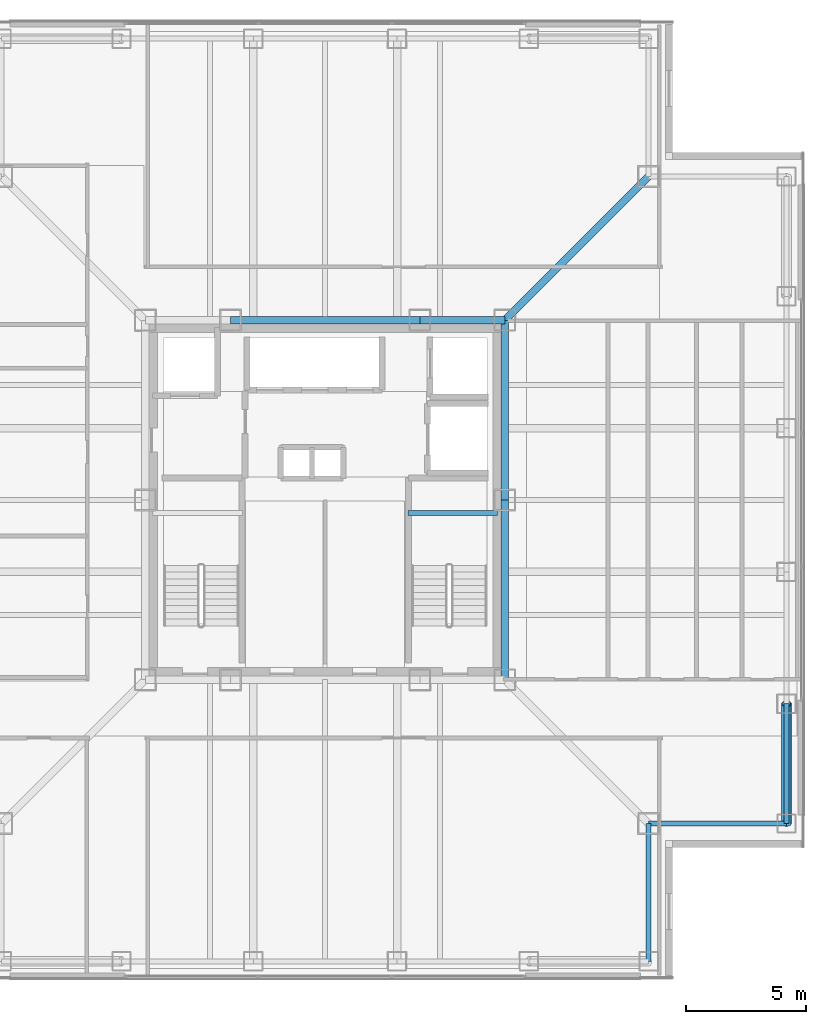
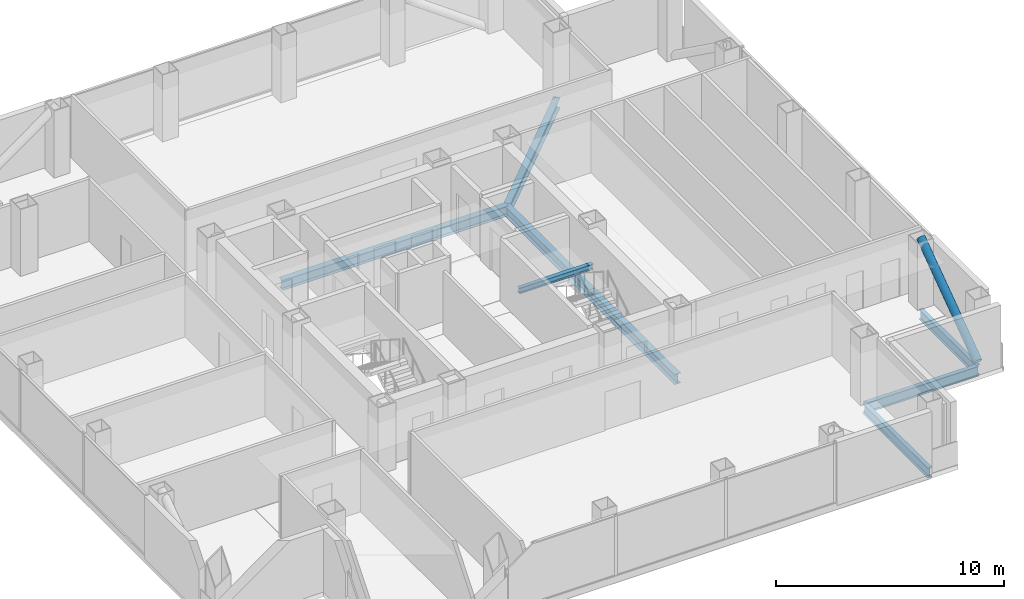
# One storey, part 5 of 16: 9 beams, 1 member.
"""IFC4 building model written with IfcOpenShell, lengths in metres."""

import ifcopenshell
import ifcopenshell.guid

model = None  # the IFC model being written
_history = None  # IfcOwnerHistory: only IFC2X3 demands one
_inside = {}  # id of a spatial element -> (the spatial element, [elements in it])
_under = {}  # id of a project, library or spatial element -> (it, [spatial elements below it])
_declared = {}  # id of a project -> (the project, [libraries it declares])
_typed = {}  # id of a type object -> (the type object, [elements of that type])
_made_of = {}  # id of a material, layer set ... -> (it, [elements and type objects made of it])


def new_model(schema):
    """Start an empty IFC model of exactly this schema.

    Asked for "IFC4X3", IfcOpenShell would pick the latest addendum, in which some entities
    have other attributes; the version numbers below select the first issue.
    IFC2X3 requires an IfcOwnerHistory on every rooted entity: one is made here for all.
    """
    global model, _history
    if schema == "IFC4X3":
        model = ifcopenshell.file(schema_version=(4, 3, 0, 0))
    else:
        model = ifcopenshell.file(schema=schema)
    _inside.clear()
    _under.clear()
    _declared.clear()
    _typed.clear()
    _made_of.clear()
    _history = None
    if model.schema == "IFC2X3":
        org = make("IfcOrganization", Name="unknown")
        user = make(
            "IfcPersonAndOrganization",
            ThePerson=make("IfcPerson", FamilyName="unknown"),
            TheOrganization=org,
        )
        app = make(
            "IfcApplication",
            ApplicationDeveloper=org,
            Version="unknown",
            ApplicationFullName="unknown",
            ApplicationIdentifier="unknown",
        )
        _history = make(
            "IfcOwnerHistory",
            OwningUser=user,
            OwningApplication=app,
            ChangeAction="ADDED",
            CreationDate=0,
        )
    return model


def make(cls, **values):
    """One entity of the class cls with the attributes given. An attribute that is None is left unset."""
    return model.create_entity(
        cls, **{name: value for name, value in values.items() if value is not None}
    )


def rooted(cls, **values):
    """An entity with a GlobalId (a new one), such as an element, a storey or a relation."""
    return make(cls, GlobalId=ifcopenshell.guid.new(), OwnerHistory=_history, **values)


def si_unit(unit_type, name, prefix=None):
    """IfcSIUnit, for example si_unit("LENGTHUNIT", "METRE", prefix="MILLI")."""
    return make("IfcSIUnit", UnitType=unit_type, Prefix=prefix, Name=name)


def assignment(units):
    """IfcUnitAssignment: the units of a project."""
    return None if units is None else make("IfcUnitAssignment", Units=units)


def point(xyz):
    """IfcCartesianPoint."""
    return None if xyz is None else make("IfcCartesianPoint", Coordinates=xyz)


def direction(xyz):
    """IfcDirection."""
    return None if xyz is None else make("IfcDirection", DirectionRatios=xyz)


def frame(location, z_axis=None, x_axis=None):
    """IfcAxis2Placement3D, a coordinate frame: its origin and axes. An axis left out is left unset."""
    return make(
        "IfcAxis2Placement3D",
        Location=point(location),
        Axis=direction(z_axis),
        RefDirection=direction(x_axis),
    )


def frame_2d(location, x_axis=None):
    """IfcAxis2Placement2D, a coordinate frame in the plane: its origin and x axis."""
    return make(
        "IfcAxis2Placement2D", Location=point(location), RefDirection=direction(x_axis)
    )


def origin():
    """The frame at (0, 0, 0) with its axes left unset."""
    return frame((0.0, 0.0, 0.0))


def origin_2d():
    """The frame at (0, 0) in the plane with its x axis left unset."""
    return frame_2d((0.0, 0.0))


def place(relative_to, where):
    """IfcLocalPlacement: puts the frame where relative to a parent placement (None: the world)."""
    return make(
        "IfcLocalPlacement", PlacementRelTo=relative_to, RelativePlacement=where
    )


def context(
    kind, dimensions, precision=None, world=None, true_north=None, identifier=None
):
    """IfcGeometricRepresentationContext, for example the 3D "Model" context."""
    return make(
        "IfcGeometricRepresentationContext",
        ContextIdentifier=identifier,
        ContextType=kind,
        CoordinateSpaceDimension=dimensions,
        Precision=precision,
        WorldCoordinateSystem=world,
        TrueNorth=true_north,
    )


def subcontext(parent, identifier, kind, view, scale=None):
    """IfcGeometricRepresentationSubContext, for example "Body" below "Model"."""
    return make(
        "IfcGeometricRepresentationSubContext",
        ContextIdentifier=identifier,
        ContextType=kind,
        ParentContext=parent,
        TargetScale=scale,
        TargetView=view,
    )


def project(units=None, contexts=None):
    """IfcProject with its units and contexts."""
    return rooted(
        "IfcProject",
        Name="project",
        RepresentationContexts=contexts,
        UnitsInContext=assignment(units),
    )


def spatial(cls, under=None, at=None, **own):
    """A site, building, storey or space (cls), placed at a placement, below another one or the project."""
    s = rooted(cls, ObjectPlacement=at, **own)
    if under is not None:
        _under.setdefault(under.id(), (under, []))[1].append(s)
    return s


def profile(cls, at=None, kind="AREA", **sizes):
    """A parametric profile (cls). Its sizes go by their IFC names, for example OverallWidth=200.0."""
    return make(cls, ProfileType=kind, Position=at, **sizes)


def hollow_circle(**sizes):
    """IfcCircleHollowProfileDef."""
    return profile("IfcCircleHollowProfileDef", **sizes)


def i_section(**sizes):
    """IfcIShapeProfileDef."""
    return profile("IfcIShapeProfileDef", **sizes)


def extrude(swept, where, along, depth):
    """IfcExtrudedAreaSolid: the profile swept, set in the frame where, extruded along a direction by depth."""
    return make(
        "IfcExtrudedAreaSolid",
        SweptArea=swept,
        Position=where,
        ExtrudedDirection=direction(along),
        Depth=depth,
    )


def shape(context_of_items, identifier, shape_type, items):
    """IfcShapeRepresentation: the items that make up one representation, for example the "Body"."""
    return make(
        "IfcShapeRepresentation",
        ContextOfItems=context_of_items,
        RepresentationIdentifier=identifier,
        RepresentationType=shape_type,
        Items=items,
    )


def material(Name=None, Category=None):
    """IfcMaterial."""
    return make("IfcMaterial", Name=Name, Category=Category)


def material_profile(
    of_material, cross_section, Name=None, Category=None, Priority=None
):
    """IfcMaterialProfile: a cross section and its material."""
    return make(
        "IfcMaterialProfile",
        Name=Name,
        Material=of_material,
        Profile=cross_section,
        Priority=Priority,
        Category=Category,
    )


def profile_set(profiles, Name=None, composite=None):
    """IfcMaterialProfileSet."""
    return make(
        "IfcMaterialProfileSet",
        Name=Name,
        MaterialProfiles=profiles,
        CompositeProfile=composite,
    )


def made_of(thing, what):
    """Note that an element or type object is made of a material, layer set ...; save() writes the relation."""
    if what is not None:
        _made_of.setdefault(what.id(), (what, []))[1].append(thing)
    return thing


def type_object(cls, material=None, **own):
    """A type object (cls), such as IfcWallType, which elements share."""
    return made_of(rooted(cls, **own), material)


def element(
    cls,
    number,
    at=None,
    inside=None,
    cuts=None,
    type_object=None,
    material=None,
    context=None,
    identifier="Body",
    shape_type=None,
    held_by="IfcProductDefinitionShape",
    body=None,
    shapes=None,
    **own,
):
    """One element of the class cls, such as IfcWall. Its Tag is "e" and its number.

    at: its placement. inside: the storey or other place that contains it. cuts: it is an
    opening in that element (IfcRelVoidsElement). A single representation is given by context,
    identifier, shape_type and body (its items); several are given by shapes. held_by: the class
    of the entity that holds the representations. save() writes the other relations.
    """
    e = rooted(cls, Tag="e%d" % number, ObjectPlacement=at, **own)
    if body is not None:
        shapes = [shape(context, identifier, shape_type, body)]
    if shapes is not None:
        e.Representation = make(held_by, Representations=shapes)
    if inside is not None:
        _inside.setdefault(inside.id(), (inside, []))[1].append(e)
    if cuts is not None:
        rooted(
            "IfcRelVoidsElement", RelatingBuildingElement=cuts, RelatedOpeningElement=e
        )
    if type_object is not None:
        _typed.setdefault(type_object.id(), (type_object, []))[1].append(e)
    return made_of(e, material)


def aggregate(whole, parts):
    """IfcRelAggregates: a whole, such as a stair, and the parts it consists of."""
    return rooted("IfcRelAggregates", RelatingObject=whole, RelatedObjects=parts)


def save(model, path):
    """Write the relations noted so far, then the file.

    IfcRelAggregates (storeys below a building ...), IfcRelContainedInSpatialStructure (elements
    in a storey), IfcRelDefinesByType, IfcRelAssociatesMaterial and IfcRelDeclares: one each for
    every whole, place, type object, material and project.
    """
    for whole, parts in _under.values():
        aggregate(whole, parts)
    for where, things in _inside.values():
        rooted(
            "IfcRelContainedInSpatialStructure",
            RelatedElements=things,
            RelatingStructure=where,
        )
    for kind, things in _typed.values():
        rooted("IfcRelDefinesByType", RelatedObjects=things, RelatingType=kind)
    for what, things in _made_of.values():
        rooted("IfcRelAssociatesMaterial", RelatedObjects=things, RelatingMaterial=what)
    for by, libraries in _declared.values():
        rooted("IfcRelDeclares", RelatingContext=by, RelatedDefinitions=libraries)
    model.write(path)


model = new_model("IFC4")

# Units and contexts
model_context = context("Model", 3, precision=1e-05, world=origin(), true_north=direction((0.0, 1.0)))
body_context = subcontext(model_context, "Body", "Model", "MODEL_VIEW")
ifc_project = project(units=[si_unit("LENGTHUNIT", "METRE"), si_unit("AREAUNIT", "SQUARE_METRE"), si_unit("VOLUMEUNIT", "CUBIC_METRE"), si_unit("PLANEANGLEUNIT", "RADIAN"), si_unit("MASSUNIT", "GRAM", prefix="KILO")], contexts=[model_context])

# Site, building, storey
site_placement = place(None, origin())
site = spatial("IfcSite", under=ifc_project, at=site_placement, CompositionType="ELEMENT")
building_placement = place(site_placement, origin())
building = spatial("IfcBuilding", under=site, at=building_placement, Name="Trevonay Congress Spire", CompositionType="ELEMENT")
storey_placement = place(building_placement, frame((0.0, 0.0, 202.199951171875)))
storey = spatial("IfcBuildingStorey", under=building, at=storey_placement, Name="L52", CompositionType="ELEMENT", Elevation=202.199951171875)

# Beams
ifc_material_1 = material(Name="Steel ASTM A572 Grade 50", Category="steel")
ifc_material_profile_1 = material_profile(ifc_material_1, i_section(OverallWidth=0.31201171875, OverallDepth=0.54296875, WebThickness=0.0126953125, FlangeThickness=0.020263671875, FilletRadius=0.014892578125, at=origin_2d()), Name="W530x150")
ifc_profile_set_1 = profile_set([ifc_material_profile_1], Name="Steel ASTM A572 Grade 50")
beam_type_1 = type_object("IfcBeamType", Name="BM-GIRD-W530X150", PredefinedType="BEAM", material=ifc_profile_set_1)
beam_1_placement = place(storey_placement, frame((-3.949951171875, 7.5, -0.511474609375), z_axis=(1.0, 0.0, 0.0), x_axis=(0.0, 1.0, 0.0)))
element("IfcBeam", 1, at=beam_1_placement, inside=storey, type_object=beam_type_1, Name="L52 structural beam BM-L52-CR-N2", PredefinedType="BEAM", context=body_context, shape_type="SweptSolid", body=[
    extrude(i_section(OverallWidth=0.31201171875, OverallDepth=0.54296875, WebThickness=0.0126953125, FlangeThickness=0.020263671875, FilletRadius=0.014892578125, at=origin_2d()), origin(), (0.0, 0.0, 1.0), 7.89990234375),
])
beam_2_placement = place(storey_placement, frame((3.949951171875, 7.5, -0.511474609375), z_axis=(1.0, 0.0, 0.0), x_axis=(0.0, 1.0, 0.0)))
element("IfcBeam", 2, at=beam_2_placement, inside=storey, type_object=beam_type_1, Name="L52 structural beam BM-L52-CR-N3", PredefinedType="BEAM", context=body_context, shape_type="SweptSolid", body=[
    extrude(i_section(OverallWidth=0.31201171875, OverallDepth=0.54296875, WebThickness=0.0126953125, FlangeThickness=0.020263671875, FilletRadius=0.014892578125, at=origin_2d()), origin(), (0.0, 0.0, 1.0), 3.550048828125),
])
for number, where, z_axis, x_axis, name in (
    (3, (7.5, -7.5, -0.511474609375), (0.0, 1.0, 0.0), (-1.0, 0.0, 0.0), "L52 structural beam BM-L52-CR-E1"),
    (4, (7.5, 0.0, -0.511474609375), (0.0, 1.0, 0.0), (-1.0, 0.0, 0.0), "L52 structural beam BM-L52-CR-E2"),
):
    element("IfcBeam", number, at=place(storey_placement, frame(where, z_axis=z_axis, x_axis=x_axis)), inside=storey, type_object=beam_type_1, Name=name, PredefinedType="BEAM", context=body_context, shape_type="SweptSolid", body=[
        extrude(i_section(OverallWidth=0.31201171875, OverallDepth=0.54296875, WebThickness=0.0126953125, FlangeThickness=0.020263671875, FilletRadius=0.014892578125, at=origin_2d()), origin(), (0.0, 0.0, 1.0), 7.5),
    ])
beam_3_placement = place(storey_placement, frame((7.5, 7.5, -0.511474609375), z_axis=(0.707106781187, 0.707106781187, 0.0), x_axis=(-0.707106781187, 0.707106781187, 0.0)))
element("IfcBeam", 5, at=beam_3_placement, inside=storey, type_object=beam_type_1, Name="L52 structural beam BM-L52-CDNE", PredefinedType="BEAM", context=body_context, shape_type="SweptSolid", body=[
    extrude(i_section(OverallWidth=0.31201171875, OverallDepth=0.54296875, WebThickness=0.0126953125, FlangeThickness=0.020263671875, FilletRadius=0.014892578125, at=origin_2d()), origin(), (0.0, 0.0, 1.0), 8.4853515625),
])
ifc_material_profile_2 = material_profile(ifc_material_1, i_section(OverallWidth=0.2119140625, OverallDepth=0.5439453125, WebThickness=0.01318359375, FlangeThickness=0.021240234375, FilletRadius=0.014892578125, at=origin_2d()), Name="W530x123")
ifc_profile_set_2 = profile_set([ifc_material_profile_2], Name="Steel ASTM A572 Grade 50")
beam_type_2 = type_object("IfcBeamType", Name="BM-RING-W530X123", PredefinedType="BEAM", material=ifc_profile_set_2)
beam_4_placement = place(storey_placement, frame((19.25, -13.5, -0.511962890625), z_axis=(0.0, 1.0, 0.0), x_axis=(-1.0, 0.0, 0.0)))
element("IfcBeam", 6, at=beam_4_placement, inside=storey, type_object=beam_type_2, Name="L52 structural beam BM-L52-PE1", PredefinedType="BEAM", context=body_context, shape_type="SweptSolid", body=[
    extrude(i_section(OverallWidth=0.2119140625, OverallDepth=0.5439453125, WebThickness=0.01318359375, FlangeThickness=0.021240234375, FilletRadius=0.014892578125, at=origin_2d()), origin(), (0.0, 0.0, 1.0), 5.0),
])
for number, where, z_axis, x_axis, name in (
    (7, (13.5, -19.25, -0.511962890625), (0.0, 1.0, 0.0), (-1.0, 0.0, 0.0), "L52 structural beam BM-L52-N1SE"),
    (8, (19.25, -13.5, -0.511962890625), (-1.0, 0.0, 0.0), (0.0, -1.0, 0.0), "L52 structural beam BM-L52-N2SE"),
):
    element("IfcBeam", number, at=place(storey_placement, frame(where, z_axis=z_axis, x_axis=x_axis)), inside=storey, type_object=beam_type_2, Name=name, PredefinedType="BEAM", context=body_context, shape_type="SweptSolid", body=[
        extrude(i_section(OverallWidth=0.2119140625, OverallDepth=0.5439453125, WebThickness=0.01318359375, FlangeThickness=0.021240234375, FilletRadius=0.014892578125, at=origin_2d()), origin(), (0.0, 0.0, 1.0), 5.75),
    ])
ifc_material_profile_3 = material_profile(ifc_material_1, i_section(OverallWidth=0.2041015625, OverallDepth=0.305908203125, WebThickness=0.008544921875, FlangeThickness=0.0146484375, FilletRadius=0.010986328125, at=origin_2d()), Name="W310x67")
ifc_profile_set_3 = profile_set([ifc_material_profile_3], Name="Steel ASTM A572 Grade 50")
beam_type_3 = type_object("IfcBeamType", Name="LN-CORE-W310X67", PredefinedType="LINTEL", material=ifc_profile_set_3)
beam_5_placement = place(storey_placement, frame((3.449951171875, -0.550048828125, 1.447021484375), z_axis=(1.0, 0.0, 0.0), x_axis=(0.0, 1.0, 0.0)))
element("IfcBeam", 9, at=beam_5_placement, inside=storey, type_object=beam_type_3, Name="L52 structural beam BM-L52-HL-ST2", PredefinedType="LINTEL", context=body_context, shape_type="SweptSolid", body=[
    extrude(i_section(OverallWidth=0.2041015625, OverallDepth=0.305908203125, WebThickness=0.008544921875, FlangeThickness=0.0146484375, FilletRadius=0.010986328125, at=origin_2d()), origin(), (0.0, 0.0, 1.0), 3.75),
])

# Member
ifc_material_2 = material(Name="Steel ASTM A500 Grade C", Category="steel")
ifc_material_profile_4 = material_profile(ifc_material_2, hollow_circle(Radius=0.203125, WallThickness=0.02001953125, at=origin_2d()), Name="CHS 406.4x20")
ifc_profile_set_4 = profile_set([ifc_material_profile_4], Name="Steel ASTM A500 Grade C")
member_type = type_object("IfcMemberType", Name="MBR-TUBE-CHS406", PredefinedType="BRACE", material=ifc_profile_set_4)
member_placement = place(storey_placement, frame((19.25, -13.5, -0.050048828125), z_axis=(0.0, 0.811526825515, 0.584315164504), x_axis=(-1.0, 0.0, 0.0)))
element("IfcMember", 10, at=member_placement, inside=storey, type_object=member_type, Name="L52 perimeter braced-tube diagonal E0", PredefinedType="BRACE", context=body_context, shape_type="SweptSolid", body=[
    extrude(hollow_circle(Radius=0.203125, WallThickness=0.02001953125, at=origin_2d()), origin(), (0.0, 0.0, 1.0), 6.1611328125),
])

save(model, "model.ifc")
